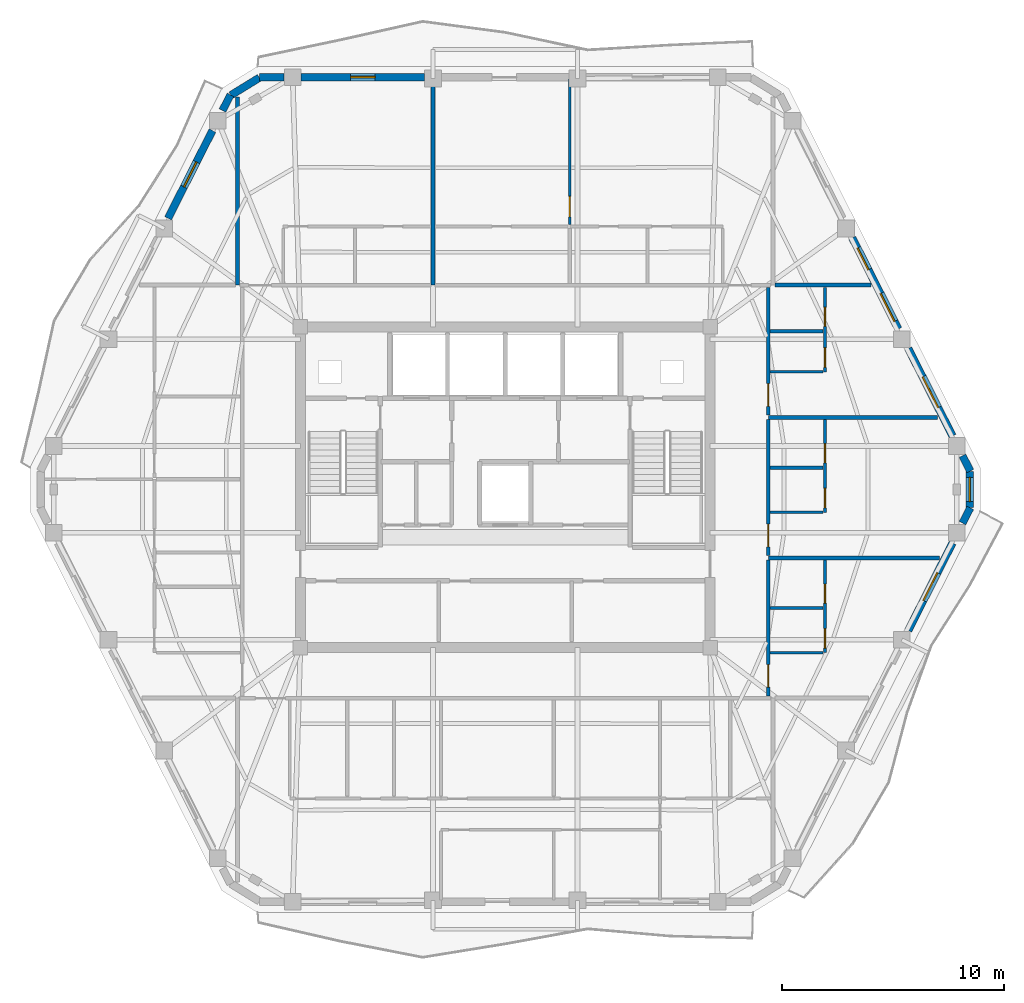
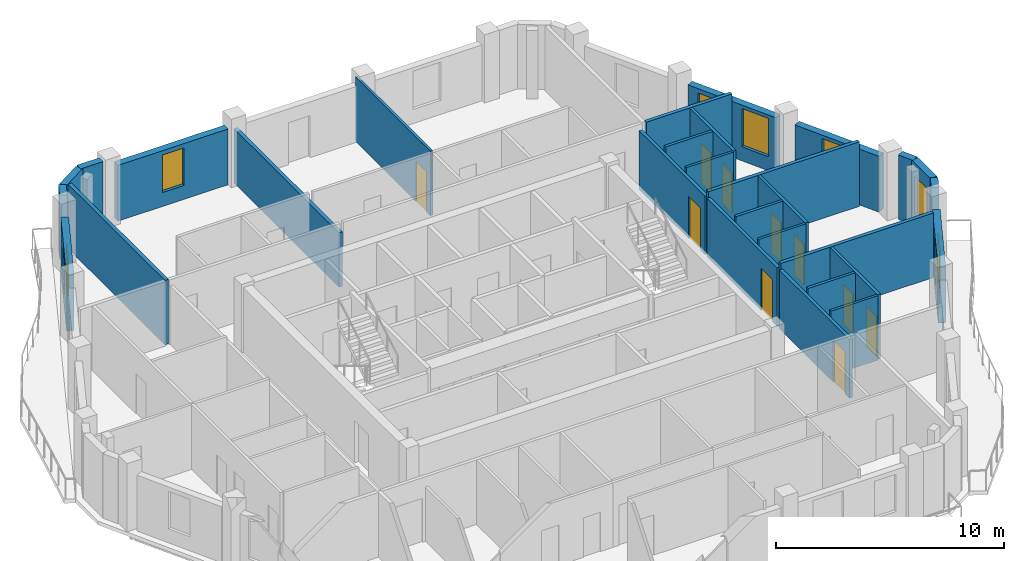
# One storey, part 7 of 11: 29 walls, 10 doors, 7 windows, 17 openings.
"""IFC4 building model written with IfcOpenShell, lengths in metres."""

from ifc_helpers import new_model, si_unit, direction, frame, frame_2d, origin, place, context, subcontext, project, spatial, rectangle, extrude, material, layer, layer_set, type_object, element, fill, save


model = new_model("IFC4")

# Units and contexts
model_context = context("Model", 3, precision=1e-05, world=origin(), true_north=direction((0.0, 1.0)))
body_context = subcontext(model_context, "Body", "Model", "MODEL_VIEW")
ifc_project = project(units=[si_unit("LENGTHUNIT", "METRE"), si_unit("AREAUNIT", "SQUARE_METRE"), si_unit("VOLUMEUNIT", "CUBIC_METRE"), si_unit("PLANEANGLEUNIT", "RADIAN"), si_unit("MASSUNIT", "GRAM", prefix="KILO")], contexts=[model_context])

# Site, building, storey
site_placement = place(None, origin())
site = spatial("IfcSite", under=ifc_project, at=site_placement, CompositionType="ELEMENT")
building_placement = place(site_placement, origin())
building = spatial("IfcBuilding", under=site, at=building_placement, Name="Cinnabar Lancet Tower", CompositionType="ELEMENT")
storey_placement = place(building_placement, frame((0.0, 0.0, 252.550048828125)))
storey = spatial("IfcBuildingStorey", under=building, at=storey_placement, Name="L67", CompositionType="ELEMENT", Elevation=252.550048828125)

# Wall, opening, door
ifc_material_1 = material(Name="Acoustic twin-stud gypsum partition", Category="gypsum")
ifc_layer_1 = layer(ifc_material_1, 0.159912109375)
ifc_layer_set_1 = layer_set([ifc_layer_1], Name="Acoustic twin-stud gypsum partition")
wall_type_1 = type_object("IfcWallType", Name="ARC-WL-CORR-160", PredefinedType="PARTITIONING", material=ifc_layer_set_1)
wall_1_placement = place(storey_placement, frame((44.25, 16.4951171875, 0.0), z_axis=(0.0, 0.0, 1.0), x_axis=(0.0, 1.0, 0.0)))
wall_1 = element("IfcWall", 1, at=wall_1_placement, inside=storey, type_object=wall_type_1, Name="UW-L67-E01-COR", PredefinedType="PARTITIONING", context=body_context, shape_type="SweptSolid", body=[
    extrude(rectangle(XDim=6.1337890625, YDim=0.159912109375, at=frame_2d((3.06689453125, 0.0))), origin(), (0.0, 0.0, 1.0), 3.136962890625),
])
opening_1_placement = place(wall_1_placement, frame((0.39990234375, 0.0, 0.0)))
opening_1 = element("IfcOpeningElement", 2, at=opening_1_placement, cuts=wall_1, Name="Opening UD-01", PredefinedType="OPENING", context=body_context, shape_type="SweptSolid", body=[
    extrude(rectangle(XDim=1.02001953125, YDim=2.25, at=frame_2d((0.510009765625, 1.125))), frame((0.0, 0.08984375, 0.0), z_axis=(0.0, -1.0, 0.0), x_axis=(1.0, 0.0, 0.0)), (0.0, 0.0, 1.0), 0.179931640625),
])
ifc_material_2 = material(Name="Solid timber fire-rated apartment entrance door", Category="wood")
door_type_1 = type_object("IfcDoorType", Name="ARC-DR-UNIT", OperationType="NOTDEFINED", PredefinedType="DOOR", material=ifc_material_2)
door_1_placement = place(opening_1_placement, origin())
door_1 = element("IfcDoor", 3, at=door_1_placement, inside=storey, type_object=door_type_1, Name="DR-L67-E01-ENT", OperationType="SINGLE_SWING_RIGHT", OverallHeight=2.25, OverallWidth=1.02001953125, PredefinedType="DOOR", context=body_context, shape_type="SweptSolid", body=[
    extrude(rectangle(XDim=1.02001953125, YDim=2.25, at=frame_2d((0.510009765625, 1.125))), frame((0.0, 0.02490234375, 0.0), z_axis=(0.0, -1.0, 0.0), x_axis=(1.0, 0.0, 0.0)), (0.0, 0.0, 1.0), 0.050048828125),
])
fill(opening_1, door_1)

wall_2_placement = place(storey_placement, frame((44.25, 22.819091796875, 0.0), z_axis=(0.0, 0.0, 1.0), x_axis=(0.0, 1.0, 0.0)))
wall_2 = element("IfcWall", 4, at=wall_2_placement, inside=storey, type_object=wall_type_1, Name="UW-L67-E02-COR", PredefinedType="PARTITIONING", context=body_context, shape_type="SweptSolid", body=[
    extrude(rectangle(XDim=6.1337890625, YDim=0.159912109375, at=frame_2d((3.06689453125, 0.0))), origin(), (0.0, 0.0, 1.0), 3.136962890625),
])
opening_2_placement = place(wall_2_placement, frame((0.39990234375, 0.0, 0.0)))
opening_2 = element("IfcOpeningElement", 5, at=opening_2_placement, cuts=wall_2, Name="Opening UD-01", PredefinedType="OPENING", context=body_context, shape_type="SweptSolid", body=[
    extrude(rectangle(XDim=1.02001953125, YDim=2.25, at=frame_2d((0.510009765625, 1.125))), frame((0.0, 0.08984375, 0.0), z_axis=(0.0, -1.0, 0.0), x_axis=(1.0, 0.0, 0.0)), (0.0, 0.0, 1.0), 0.179931640625),
])
door_2_placement = place(opening_2_placement, origin())
door_2 = element("IfcDoor", 6, at=door_2_placement, inside=storey, type_object=door_type_1, Name="DR-L67-E02-ENT", OperationType="SINGLE_SWING_LEFT", OverallHeight=2.25, OverallWidth=1.02001953125, PredefinedType="DOOR", context=body_context, shape_type="SweptSolid", body=[
    extrude(rectangle(XDim=1.02001953125, YDim=2.25, at=frame_2d((0.510009765625, 1.125))), frame((0.0, 0.02490234375, 0.0), z_axis=(0.0, -1.0, 0.0), x_axis=(1.0, 0.0, 0.0)), (0.0, 0.0, 1.0), 0.050048828125),
])
fill(opening_2, door_2)

wall_3_placement = place(storey_placement, frame((44.25, 29.14306640625, 0.0), z_axis=(0.0, 0.0, 1.0), x_axis=(0.0, 1.0, 0.0)))
wall_3 = element("IfcWall", 7, at=wall_3_placement, inside=storey, type_object=wall_type_1, Name="UW-L67-E03-COR", PredefinedType="PARTITIONING", context=body_context, shape_type="SweptSolid", body=[
    extrude(rectangle(XDim=5.761962890625, YDim=0.159912109375, at=frame_2d((2.880859375, 0.0))), origin(), (0.0, 0.0, 1.0), 3.136962890625),
])
opening_3_placement = place(wall_3_placement, frame((0.39990234375, 0.0, 0.0)))
opening_3 = element("IfcOpeningElement", 8, at=opening_3_placement, cuts=wall_3, Name="Opening UD-01", PredefinedType="OPENING", context=body_context, shape_type="SweptSolid", body=[
    extrude(rectangle(XDim=1.02001953125, YDim=2.25, at=frame_2d((0.510009765625, 1.125))), frame((0.0, 0.08984375, 0.0), z_axis=(0.0, -1.0, 0.0), x_axis=(1.0, 0.0, 0.0)), (0.0, 0.0, 1.0), 0.179931640625),
])
door_3_placement = place(opening_3_placement, origin())
door_3 = element("IfcDoor", 9, at=door_3_placement, inside=storey, type_object=door_type_1, Name="DR-L67-E03-ENT", OperationType="SINGLE_SWING_RIGHT", OverallHeight=2.25, OverallWidth=1.02001953125, PredefinedType="DOOR", context=body_context, shape_type="SweptSolid", body=[
    extrude(rectangle(XDim=1.02001953125, YDim=2.25, at=frame_2d((0.510009765625, 1.125))), frame((0.0, 0.02490234375, 0.0), z_axis=(0.0, -1.0, 0.0), x_axis=(1.0, 0.0, 0.0)), (0.0, 0.0, 1.0), 0.050048828125),
])
fill(opening_3, door_3)

# Walls
ifc_material_3 = material(Name="Fire-rated twin-frame acoustic drywall", Category="gypsum")
ifc_layer_2 = layer(ifc_material_3, 0.179931640625)
ifc_layer_set_2 = layer_set([ifc_layer_2], Name="Fire-rated twin-frame acoustic drywall")
wall_type_2 = type_object("IfcWallType", Name="ARC-WL-PARTY-180", PredefinedType="PARTITIONING", material=ifc_layer_set_2)
wall_4_placement = place(storey_placement, frame((20.35009765625, 35.0, 0.0), z_axis=(0.0, 0.0, 1.0), x_axis=(0.0, 1.0, 0.0)))
element("IfcWall", 10, at=wall_4_placement, inside=storey, type_object=wall_type_2, Name="PW-L67-NPTY-204", PredefinedType="PARTITIONING", context=body_context, shape_type="SweptSolid", body=[
    extrude(rectangle(XDim=8.48095703125, YDim=0.179931640625, at=frame_2d((4.240478515625, 0.0))), origin(), (0.0, 0.0, 1.0), 3.449951171875),
])
wall_5_placement = place(storey_placement, frame((29.14599609375, 35.0, 0.0), z_axis=(0.0, 0.0, 1.0), x_axis=(0.0, 1.0, 0.0)))
element("IfcWall", 11, at=wall_5_placement, inside=storey, type_object=wall_type_2, Name="PW-L67-NPTY-291", PredefinedType="PARTITIONING", context=body_context, shape_type="SweptSolid", body=[
    extrude(rectangle(XDim=9.195068359375, YDim=0.179931640625, at=frame_2d((4.59765625, 0.0))), origin(), (0.0, 0.0, 1.0), 2.906982421875),
])
wall_6_placement = place(storey_placement, frame((44.544921875, 35.0, 0.0), z_axis=(0.0, 0.0, 1.0), x_axis=(1.0, 0.0, 0.0)))
element("IfcWall", 12, at=wall_6_placement, inside=storey, type_object=wall_type_2, Name="PW-L67-ENB", PredefinedType="PARTITIONING", context=body_context, shape_type="SweptSolid", body=[
    extrude(rectangle(XDim=4.322021484375, YDim=0.179931640625, at=frame_2d((2.1611328125, 0.0))), origin(), (0.0, 0.0, 1.0), 3.449951171875),
])
wall_7_placement = place(storey_placement, frame((44.25, 22.72412109375, 0.0), z_axis=(0.0, 0.0, 1.0), x_axis=(1.0, 0.0, 0.0)))
element("IfcWall", 13, at=wall_7_placement, inside=storey, type_object=wall_type_2, Name="PW-L67-EPTY-1", PredefinedType="PARTITIONING", context=body_context, shape_type="SweptSolid", body=[
    extrude(rectangle(XDim=7.714111328125, YDim=0.179931640625, at=frame_2d((3.85693359375, 0.0))), origin(), (0.0, 0.0, 1.0), 3.449951171875),
])
wall_8_placement = place(storey_placement, frame((44.25, 29.048095703125, 0.0), z_axis=(0.0, 0.0, 1.0), x_axis=(1.0, 0.0, 0.0)))
element("IfcWall", 14, at=wall_8_placement, inside=storey, type_object=wall_type_2, Name="PW-L67-EPTY-2", PredefinedType="PARTITIONING", context=body_context, shape_type="SweptSolid", body=[
    extrude(rectangle(XDim=7.626953125, YDim=0.179931640625, at=frame_2d((3.8134765625, 0.0))), origin(), (0.0, 0.0, 1.0), 3.449951171875),
])

# Wall, opening, door
ifc_material_4 = material(Name="Gypsum plasterboard stud partition", Category="gypsum")
ifc_layer_3 = layer(ifc_material_4, 0.125)
ifc_layer_set_3 = layer_set([ifc_layer_3], Name="Gypsum plasterboard stud partition")
wall_type_3 = type_object("IfcWallType", Name="ARC-WL-UNIT-125", PredefinedType="PARTITIONING", material=ifc_layer_set_3)
wall_9_placement = place(storey_placement, frame((35.30810546875, 37.72509765625, 0.0), z_axis=(0.0, 0.0, 1.0), x_axis=(0.0, 1.0, 0.0)))
wall_9 = element("IfcWall", 15, at=wall_9_placement, inside=storey, type_object=wall_type_3, Name="UW-L67-N02-MBW", PredefinedType="PARTITIONING", context=body_context, shape_type="SweptSolid", body=[
    extrude(rectangle(XDim=6.559814453125, YDim=0.125, at=frame_2d((3.27978515625, 0.0))), origin(), (0.0, 0.0, 1.0), 3.449951171875),
])
opening_4_placement = place(wall_9_placement, frame((0.35009765625, 0.0, 0.0)))
opening_4 = element("IfcOpeningElement", 16, at=opening_4_placement, cuts=wall_9, Name="Opening RD-01", PredefinedType="OPENING", context=body_context, shape_type="SweptSolid", body=[
    extrude(rectangle(XDim=0.919921875, YDim=2.14990234375, at=frame_2d((0.4599609375, 1.074951171875))), frame((0.0, 0.072509765625, 0.0), z_axis=(0.0, -1.0, 0.0), x_axis=(1.0, 0.0, 0.0)), (0.0, 0.0, 1.0), 0.14501953125),
])
ifc_material_5 = material(Name="Engineered timber bedroom door", Category="wood")
door_type_2 = type_object("IfcDoorType", Name="ARC-DR-ROOM", OperationType="NOTDEFINED", PredefinedType="DOOR", material=ifc_material_5)
door_4_placement = place(opening_4_placement, origin())
door_4 = element("IfcDoor", 17, at=door_4_placement, inside=storey, type_object=door_type_2, Name="DR-L67-N02-MBD", OperationType="SINGLE_SWING_RIGHT", OverallHeight=2.14990234375, OverallWidth=0.919921875, PredefinedType="DOOR", context=body_context, shape_type="SweptSolid", body=[
    extrude(rectangle(XDim=0.919921875, YDim=2.14990234375, at=frame_2d((0.4599609375, 1.074951171875))), frame((0.0, 0.02490234375, 0.0), z_axis=(0.0, -1.0, 0.0), x_axis=(1.0, 0.0, 0.0)), (0.0, 0.0, 1.0), 0.050048828125),
])
fill(opening_4, door_4)

# Walls
for number, where, z_axis, x_axis, name in (
    (18, (44.3349609375, 18.449951171875, 0.0), (0.0, 0.0, 1.0), (1.0, 0.0, 0.0), "UW-L67-E01-FOYN"),
    (19, (44.3349609375, 24.77392578125, 0.0), (0.0, 0.0, 1.0), (1.0, 0.0, 0.0), "UW-L67-E02-FOYN"),
    (20, (44.3349609375, 31.097900390625, 0.0), (0.0, 0.0, 1.0), (1.0, 0.0, 0.0), "UW-L67-E03-FOYN"),
):
    element("IfcWall", number, at=place(storey_placement, frame(where, z_axis=z_axis, x_axis=x_axis)), inside=storey, type_object=wall_type_3, Name=name, PredefinedType="PARTITIONING", context=body_context, shape_type="SweptSolid", body=[
        extrude(rectangle(XDim=2.380126953125, YDim=0.125, at=frame_2d((1.18994140625, 0.0))), origin(), (0.0, 0.0, 1.0), 3.449951171875),
    ])

# Wall, openings, doors
ifc_material_6 = material(Name="Moisture-resistant cement-board plumbing wall", Category="masonry")
ifc_layer_4 = layer(ifc_material_6, 0.139892578125)
ifc_layer_set_4 = layer_set([ifc_layer_4], Name="Moisture-resistant cement-board plumbing wall")
wall_type_4 = type_object("IfcWallType", Name="ARC-WL-WET-140", PredefinedType="PLUMBINGWALL", material=ifc_layer_set_4)
wall_10_placement = place(storey_placement, frame((46.800048828125, 18.449951171875, 0.0), z_axis=(0.0, 0.0, 1.0), x_axis=(0.0, 1.0, 0.0)))
wall_10 = element("IfcWall", 21, at=wall_10_placement, inside=storey, type_object=wall_type_4, Name="UW-L67-E01-SPL", PredefinedType="PLUMBINGWALL", context=body_context, shape_type="SweptSolid", body=[
    extrude(rectangle(XDim=4.178955078125, YDim=0.139892578125, at=frame_2d((2.08935546875, 0.0))), origin(), (0.0, 0.0, 1.0), 3.449951171875),
])
opening_5_placement = place(wall_10_placement, frame((2.22607421875, 0.0, 0.0)))
opening_5 = element("IfcOpeningElement", 22, at=opening_5_placement, cuts=wall_10, Name="Opening BD-01", PredefinedType="OPENING", context=body_context, shape_type="SweptSolid", body=[
    extrude(rectangle(XDim=0.860107421875, YDim=2.10009765625, at=frame_2d((0.43017578125, 1.050048828125))), frame((0.0, 0.079833984375, 0.0), z_axis=(0.0, -1.0, 0.0), x_axis=(1.0, 0.0, 0.0)), (0.0, 0.0, 1.0), 0.159912109375),
])
opening_6_placement = place(wall_10_placement, frame((0.199951171875, 0.0, 0.0)))
opening_6 = element("IfcOpeningElement", 23, at=opening_6_placement, cuts=wall_10, Name="Opening RD-02", PredefinedType="OPENING", context=body_context, shape_type="SweptSolid", body=[
    extrude(rectangle(XDim=0.8798828125, YDim=2.14990234375, at=frame_2d((0.43994140625, 1.074951171875))), frame((0.0, 0.079833984375, 0.0), z_axis=(0.0, -1.0, 0.0), x_axis=(1.0, 0.0, 0.0)), (0.0, 0.0, 1.0), 0.159912109375),
])
ifc_material_7 = material(Name="Moisture-resistant timber bathroom door", Category="wood")
door_type_3 = type_object("IfcDoorType", Name="ARC-DR-BATH", OperationType="NOTDEFINED", PredefinedType="DOOR", material=ifc_material_7)
door_5_placement = place(opening_5_placement, origin())
door_5 = element("IfcDoor", 24, at=door_5_placement, inside=storey, type_object=door_type_3, Name="DR-L67-E01-BTH", OperationType="SINGLE_SWING_RIGHT", OverallHeight=2.10009765625, OverallWidth=0.860107421875, PredefinedType="DOOR", context=body_context, shape_type="SweptSolid", body=[
    extrude(rectangle(XDim=0.860107421875, YDim=2.10009765625, at=frame_2d((0.43017578125, 1.050048828125))), frame((0.0, 0.02490234375, 0.0), z_axis=(0.0, -1.0, 0.0), x_axis=(1.0, 0.0, 0.0)), (0.0, 0.0, 1.0), 0.050048828125),
])
fill(opening_5, door_5)
ifc_material_8 = material(Name="Engineered timber study door", Category="wood")
door_type_4 = type_object("IfcDoorType", Name="ARC-DR-STUDY", OperationType="NOTDEFINED", PredefinedType="DOOR", material=ifc_material_8)
door_6_placement = place(opening_6_placement, origin())
door_6 = element("IfcDoor", 25, at=door_6_placement, inside=storey, type_object=door_type_4, Name="DR-L67-E01-KIT", OperationType="SINGLE_SWING_LEFT", OverallHeight=2.14990234375, OverallWidth=0.8798828125, PredefinedType="DOOR", context=body_context, shape_type="SweptSolid", body=[
    extrude(rectangle(XDim=0.8798828125, YDim=2.14990234375, at=frame_2d((0.43994140625, 1.074951171875))), frame((0.0, 0.02490234375, 0.0), z_axis=(0.0, -1.0, 0.0), x_axis=(1.0, 0.0, 0.0)), (0.0, 0.0, 1.0), 0.050048828125),
])
fill(opening_6, door_6)

# Wall
wall_11_placement = place(storey_placement, frame((44.3349609375, 20.4560546875, 0.0), z_axis=(0.0, 0.0, 1.0), x_axis=(1.0, 0.0, 0.0)))
element("IfcWall", 26, at=wall_11_placement, inside=storey, type_object=wall_type_4, Name="UW-L67-E01-KDV", PredefinedType="PLUMBINGWALL", context=body_context, shape_type="SweptSolid", body=[
    extrude(rectangle(XDim=2.380126953125, YDim=0.139892578125, at=frame_2d((1.18994140625, 0.0))), origin(), (0.0, 0.0, 1.0), 3.449951171875),
])

# Wall, openings, doors
wall_12_placement = place(storey_placement, frame((46.800048828125, 24.77392578125, 0.0), z_axis=(0.0, 0.0, 1.0), x_axis=(0.0, 1.0, 0.0)))
wall_12 = element("IfcWall", 27, at=wall_12_placement, inside=storey, type_object=wall_type_4, Name="UW-L67-E02-SPL", PredefinedType="PLUMBINGWALL", context=body_context, shape_type="SweptSolid", body=[
    extrude(rectangle(XDim=4.178955078125, YDim=0.139892578125, at=frame_2d((2.08935546875, 0.0))), origin(), (0.0, 0.0, 1.0), 3.449951171875),
])
opening_7_placement = place(wall_12_placement, frame((2.22607421875, 0.0, 0.0)))
opening_7 = element("IfcOpeningElement", 28, at=opening_7_placement, cuts=wall_12, Name="Opening BD-01", PredefinedType="OPENING", context=body_context, shape_type="SweptSolid", body=[
    extrude(rectangle(XDim=0.860107421875, YDim=2.10009765625, at=frame_2d((0.43017578125, 1.050048828125))), frame((0.0, 0.079833984375, 0.0), z_axis=(0.0, -1.0, 0.0), x_axis=(1.0, 0.0, 0.0)), (0.0, 0.0, 1.0), 0.159912109375),
])
opening_8_placement = place(wall_12_placement, frame((0.199951171875, 0.0, 0.0)))
opening_8 = element("IfcOpeningElement", 29, at=opening_8_placement, cuts=wall_12, Name="Opening RD-02", PredefinedType="OPENING", context=body_context, shape_type="SweptSolid", body=[
    extrude(rectangle(XDim=0.8798828125, YDim=2.14990234375, at=frame_2d((0.43994140625, 1.074951171875))), frame((0.0, 0.079833984375, 0.0), z_axis=(0.0, -1.0, 0.0), x_axis=(1.0, 0.0, 0.0)), (0.0, 0.0, 1.0), 0.159912109375),
])
door_7_placement = place(opening_7_placement, origin())
door_7 = element("IfcDoor", 30, at=door_7_placement, inside=storey, type_object=door_type_3, Name="DR-L67-E02-BTH", OperationType="SINGLE_SWING_LEFT", OverallHeight=2.10009765625, OverallWidth=0.860107421875, PredefinedType="DOOR", context=body_context, shape_type="SweptSolid", body=[
    extrude(rectangle(XDim=0.860107421875, YDim=2.10009765625, at=frame_2d((0.43017578125, 1.050048828125))), frame((0.0, 0.02490234375, 0.0), z_axis=(0.0, -1.0, 0.0), x_axis=(1.0, 0.0, 0.0)), (0.0, 0.0, 1.0), 0.050048828125),
])
fill(opening_7, door_7)
door_8_placement = place(opening_8_placement, origin())
door_8 = element("IfcDoor", 31, at=door_8_placement, inside=storey, type_object=door_type_4, Name="DR-L67-E02-KIT", OperationType="SINGLE_SWING_RIGHT", OverallHeight=2.14990234375, OverallWidth=0.8798828125, PredefinedType="DOOR", context=body_context, shape_type="SweptSolid", body=[
    extrude(rectangle(XDim=0.8798828125, YDim=2.14990234375, at=frame_2d((0.43994140625, 1.074951171875))), frame((0.0, 0.02490234375, 0.0), z_axis=(0.0, -1.0, 0.0), x_axis=(1.0, 0.0, 0.0)), (0.0, 0.0, 1.0), 0.050048828125),
])
fill(opening_8, door_8)

# Wall
wall_13_placement = place(storey_placement, frame((44.3349609375, 26.780029296875, 0.0), z_axis=(0.0, 0.0, 1.0), x_axis=(1.0, 0.0, 0.0)))
element("IfcWall", 32, at=wall_13_placement, inside=storey, type_object=wall_type_4, Name="UW-L67-E02-KDV", PredefinedType="PLUMBINGWALL", context=body_context, shape_type="SweptSolid", body=[
    extrude(rectangle(XDim=2.380126953125, YDim=0.139892578125, at=frame_2d((1.18994140625, 0.0))), origin(), (0.0, 0.0, 1.0), 3.449951171875),
])

# Wall, openings, doors
wall_14_placement = place(storey_placement, frame((46.800048828125, 31.097900390625, 0.0), z_axis=(0.0, 0.0, 1.0), x_axis=(0.0, 1.0, 0.0)))
wall_14 = element("IfcWall", 33, at=wall_14_placement, inside=storey, type_object=wall_type_4, Name="UW-L67-E03-SPL", PredefinedType="PLUMBINGWALL", context=body_context, shape_type="SweptSolid", body=[
    extrude(rectangle(XDim=3.80712890625, YDim=0.139892578125, at=frame_2d((1.903564453125, 0.0))), origin(), (0.0, 0.0, 1.0), 3.449951171875),
])
opening_9_placement = place(wall_14_placement, frame((2.047119140625, 0.0, 0.0)))
opening_9 = element("IfcOpeningElement", 34, at=opening_9_placement, cuts=wall_14, Name="Opening BD-01", PredefinedType="OPENING", context=body_context, shape_type="SweptSolid", body=[
    extrude(rectangle(XDim=0.860107421875, YDim=2.10009765625, at=frame_2d((0.43017578125, 1.050048828125))), frame((0.0, 0.079833984375, 0.0), z_axis=(0.0, -1.0, 0.0), x_axis=(1.0, 0.0, 0.0)), (0.0, 0.0, 1.0), 0.159912109375),
])
opening_10_placement = place(wall_14_placement, frame((0.199951171875, 0.0, 0.0)))
opening_10 = element("IfcOpeningElement", 35, at=opening_10_placement, cuts=wall_14, Name="Opening RD-02", PredefinedType="OPENING", context=body_context, shape_type="SweptSolid", body=[
    extrude(rectangle(XDim=0.8798828125, YDim=2.14990234375, at=frame_2d((0.43994140625, 1.074951171875))), frame((0.0, 0.079833984375, 0.0), z_axis=(0.0, -1.0, 0.0), x_axis=(1.0, 0.0, 0.0)), (0.0, 0.0, 1.0), 0.159912109375),
])
door_9_placement = place(opening_9_placement, origin())
door_9 = element("IfcDoor", 36, at=door_9_placement, inside=storey, type_object=door_type_3, Name="DR-L67-E03-BTH", OperationType="SINGLE_SWING_RIGHT", OverallHeight=2.10009765625, OverallWidth=0.860107421875, PredefinedType="DOOR", context=body_context, shape_type="SweptSolid", body=[
    extrude(rectangle(XDim=0.860107421875, YDim=2.10009765625, at=frame_2d((0.43017578125, 1.050048828125))), frame((0.0, 0.02490234375, 0.0), z_axis=(0.0, -1.0, 0.0), x_axis=(1.0, 0.0, 0.0)), (0.0, 0.0, 1.0), 0.050048828125),
])
fill(opening_9, door_9)
door_10_placement = place(opening_10_placement, origin())
door_10 = element("IfcDoor", 37, at=door_10_placement, inside=storey, type_object=door_type_4, Name="DR-L67-E03-KIT", OperationType="SINGLE_SWING_LEFT", OverallHeight=2.14990234375, OverallWidth=0.8798828125, PredefinedType="DOOR", context=body_context, shape_type="SweptSolid", body=[
    extrude(rectangle(XDim=0.8798828125, YDim=2.14990234375, at=frame_2d((0.43994140625, 1.074951171875))), frame((0.0, 0.02490234375, 0.0), z_axis=(0.0, -1.0, 0.0), x_axis=(1.0, 0.0, 0.0)), (0.0, 0.0, 1.0), 0.050048828125),
])
fill(opening_10, door_10)

# Wall
wall_15_placement = place(storey_placement, frame((44.3349609375, 32.925048828125, 0.0), z_axis=(0.0, 0.0, 1.0), x_axis=(1.0, 0.0, 0.0)))
element("IfcWall", 38, at=wall_15_placement, inside=storey, type_object=wall_type_4, Name="UW-L67-E03-KDV", PredefinedType="PLUMBINGWALL", context=body_context, shape_type="SweptSolid", body=[
    extrude(rectangle(XDim=2.380126953125, YDim=0.139892578125, at=frame_2d((1.18994140625, 0.0))), origin(), (0.0, 0.0, 1.0), 3.449951171875),
])

# Wall, opening, window
ifc_material_9 = material(Name="Cinnabar red clay brick", Category="masonry")
ifc_layer_5 = layer(ifc_material_9, 0.340087890625)
ifc_layer_set_5 = layer_set([ifc_layer_5], Name="Cinnabar red clay brick")
wall_type_5 = type_object("IfcWallType", Name="ENV-WL-BRK-RED-340", PredefinedType="STANDARD", material=ifc_layer_set_5)
wall_16_placement = place(storey_placement, frame((53.322998046875, 24.97998046875, 0.0), z_axis=(0.0, 0.0, 1.0), x_axis=(0.0, 1.0, 0.0)))
wall_16 = element("IfcWall", 39, at=wall_16_placement, inside=storey, type_object=wall_type_5, Name="L67 Chamfered Corner Brick Pier 3.1", PredefinedType="STANDARD", context=body_context, shape_type="SweptSolid", body=[
    extrude(rectangle(XDim=1.64013671875, YDim=0.340087890625, at=frame_2d((0.820068359375, 0.0))), origin(), (0.0, 0.0, 1.0), 3.449951171875),
])
opening_11_placement = place(wall_16_placement, frame((0.27001953125, 0.0, 0.75)))
opening_11 = element("IfcOpeningElement", 40, at=opening_11_placement, cuts=wall_16, Name="Opening WN-04", PredefinedType="OPENING", context=body_context, shape_type="SweptSolid", body=[
    extrude(rectangle(XDim=1.10009765625, YDim=2.0, at=frame_2d((0.550048828125, 1.0))), frame((0.0, 0.179931640625, 0.0), z_axis=(0.0, -1.0, 0.0), x_axis=(1.0, 0.0, 0.0)), (0.0, 0.0, 1.0), 0.360107421875),
])
ifc_material_10 = material(Name="Thermally broken bronze-anodized aluminium tall lancet window", Category="aluminium")
window_type_1 = type_object("IfcWindowType", Name="ENV-WN-LANCET-1100", PartitioningType="SINGLE_PANEL", PredefinedType="WINDOW", material=ifc_material_10)
window_1_placement = place(opening_11_placement, origin())
window_1 = element("IfcWindow", 41, at=window_1_placement, inside=storey, type_object=window_type_1, Name="L67 Dwelling Gothic Lancet Window 336", OverallHeight=2.0, OverallWidth=1.10009765625, PartitioningType="SINGLE_PANEL", PredefinedType="WINDOW", context=body_context, shape_type="SweptSolid", body=[
    extrude(rectangle(XDim=1.10009765625, YDim=2.0, at=frame_2d((0.550048828125, 1.0))), frame((0.0, 0.030029296875, 0.0), z_axis=(0.0, -1.0, 0.0), x_axis=(1.0, 0.0, 0.0)), (0.0, 0.0, 1.0), 0.06005859375),
])
fill(opening_11, window_1)

# Wall
wall_17_placement = place(storey_placement, frame((21.3310546875, 44.344970703125, 0.0), z_axis=(0.0, 0.0, 1.0), x_axis=(-0.851680557619, -0.52406128246, 0.0)))
element("IfcWall", 42, at=wall_17_placement, inside=storey, type_object=wall_type_5, Name="L67 Chamfered Corner Brick Pier 5.1", PredefinedType="STANDARD", context=body_context, shape_type="SweptSolid", body=[
    extrude(rectangle(XDim=1.507568359375, YDim=0.340087890625, at=frame_2d((0.75390625, 0.0))), origin(), (0.0, 0.0, 1.0), 3.449951171875),
])

# Wall, opening, window
wall_18_placement = place(storey_placement, frame((50.553955078125, 19.4560546875, 0.0), z_axis=(0.0, 0.0, 1.0), x_axis=(0.45130817501, 0.892368158984, 0.0)))
wall_18 = element("IfcWall", 43, at=wall_18_placement, inside=storey, type_object=wall_type_5, Name="L67 Face 2 Masonry Bay Wall 4", PredefinedType="STANDARD", context=body_context, shape_type="SweptSolid", body=[
    extrude(rectangle(XDim=4.4072265625, YDim=0.340087890625, at=frame_2d((2.20361328125, 0.0))), origin(), (0.0, 0.0, 1.0), 2.98291015625),
])
opening_12_placement = place(wall_18_placement, frame((1.50390625, 0.0, 0.75)))
opening_12 = element("IfcOpeningElement", 44, at=opening_12_placement, cuts=wall_18, Name="Opening WN-02", PredefinedType="OPENING", context=body_context, shape_type="SweptSolid", body=[
    extrude(rectangle(XDim=1.39990234375, YDim=2.050048828125, at=frame_2d((0.699951171875, 1.02490234375))), frame((0.0, 0.179931640625, 0.0), z_axis=(0.0, -1.0, 0.0), x_axis=(1.0, 0.0, 0.0)), (0.0, 0.0, 1.0), 0.360107421875),
])
ifc_material_11 = material(Name="Thermally broken bronze-anodized aluminium low-E double glazing", Category="aluminium")
window_type_2 = type_object("IfcWindowType", Name="ENV-WN-LANCET-1400", PartitioningType="SINGLE_PANEL", PredefinedType="WINDOW", material=ifc_material_11)
window_2_placement = place(opening_12_placement, origin())
window_2 = element("IfcWindow", 45, at=window_2_placement, inside=storey, type_object=window_type_2, Name="L67 Face 2 Gothic Lancet Window 4", OverallHeight=2.050048828125, OverallWidth=1.39990234375, PartitioningType="SINGLE_PANEL", PredefinedType="WINDOW", context=body_context, shape_type="SweptSolid", body=[
    extrude(rectangle(XDim=1.39990234375, YDim=2.050048828125, at=frame_2d((0.699951171875, 1.02490234375))), frame((0.0, 0.030029296875, 0.0), z_axis=(0.0, -1.0, 0.0), x_axis=(1.0, 0.0, 0.0)), (0.0, 0.0, 1.0), 0.06005859375),
])
fill(opening_12, window_2)

# Walls
for number, where, z_axis, x_axis, name in (
    (46, (52.99609375, 24.283935546875, 0.0), (0.0, 0.0, 1.0), (0.45075284655, 0.892648795063, 0.0), "L67 Face 2 Masonry Bay Wall 5"),
    (47, (53.343994140625, 26.626953125, 0.0), (0.0, 0.0, 1.0), (-0.45075284655, 0.892648795063, 0.0), "L67 Face 3 Masonry Bay Wall 1"),
):
    element("IfcWall", number, at=place(storey_placement, frame(where, z_axis=z_axis, x_axis=x_axis)), inside=storey, type_object=wall_type_5, Name=name, PredefinedType="STANDARD", context=body_context, shape_type="SweptSolid", body=[
        extrude(rectangle(XDim=0.771728515625, YDim=0.340087890625, at=frame_2d((0.3857421875, 0.0))), origin(), (0.0, 0.0, 1.0), 3.449951171875),
    ])

# Wall, opening, window
wall_19_placement = place(storey_placement, frame((52.54296875, 28.2109375, 0.0), z_axis=(0.0, 0.0, 1.0), x_axis=(-0.451285866323, 0.892379441077, 0.0)))
wall_19 = element("IfcWall", 48, at=wall_19_placement, inside=storey, type_object=wall_type_5, Name="L67 Face 3 Masonry Bay Wall 2", PredefinedType="STANDARD", context=body_context, shape_type="SweptSolid", body=[
    extrude(rectangle(XDim=4.407470703125, YDim=0.340087890625, at=frame_2d((2.20361328125, 0.0))), origin(), (0.0, 0.0, 1.0), 2.98291015625),
])
opening_13_placement = place(wall_19_placement, frame((1.428955078125, 0.0, 0.75)))
opening_13 = element("IfcOpeningElement", 49, at=opening_13_placement, cuts=wall_19, Name="Opening WN-01", PredefinedType="OPENING", context=body_context, shape_type="SweptSolid", body=[
    extrude(rectangle(XDim=1.550048828125, YDim=2.050048828125, at=frame_2d((0.77490234375, 1.02490234375))), frame((0.0, 0.179931640625, 0.0), z_axis=(0.0, -1.0, 0.0), x_axis=(1.0, 0.0, 0.0)), (0.0, 0.0, 1.0), 0.360107421875),
])
ifc_material_12 = material(Name="Thermally broken bronze-anodized aluminium low-E double glazing", Category="aluminium")
window_type_3 = type_object("IfcWindowType", Name="ENV-WN-LANCET-1550", PartitioningType="SINGLE_PANEL", PredefinedType="WINDOW", material=ifc_material_12)
window_3_placement = place(opening_13_placement, origin())
window_3 = element("IfcWindow", 50, at=window_3_placement, inside=storey, type_object=window_type_3, Name="L67 Face 3 Gothic Lancet Window 2", OverallHeight=2.050048828125, OverallWidth=1.550048828125, PartitioningType="SINGLE_PANEL", PredefinedType="WINDOW", context=body_context, shape_type="SweptSolid", body=[
    extrude(rectangle(XDim=1.550048828125, YDim=2.050048828125, at=frame_2d((0.77490234375, 1.02490234375))), frame((0.0, 0.030029296875, 0.0), z_axis=(0.0, -1.0, 0.0), x_axis=(1.0, 0.0, 0.0)), (0.0, 0.0, 1.0), 0.06005859375),
])
fill(opening_13, window_3)

# Wall, openings, windows
wall_20_placement = place(storey_placement, frame((50.10888671875, 33.02294921875, 0.0), z_axis=(0.0, 0.0, 1.0), x_axis=(-0.451539564999, 0.892251097641, 0.0)))
wall_20 = element("IfcWall", 51, at=wall_20_placement, inside=storey, type_object=wall_type_5, Name="L67 Face 3 Masonry Bay Wall 3", PredefinedType="STANDARD", context=body_context, shape_type="SweptSolid", body=[
    extrude(rectangle(XDim=4.599609375, YDim=0.340087890625, at=frame_2d((2.2998046875, 0.0))), origin(), (0.0, 0.0, 1.0), 2.98291015625),
])
opening_14_placement = place(wall_20_placement, frame((0.386962890625, 0.0, 0.75)))
opening_14 = element("IfcOpeningElement", 52, at=opening_14_placement, cuts=wall_20, Name="Opening WN-02", PredefinedType="OPENING", context=body_context, shape_type="SweptSolid", body=[
    extrude(rectangle(XDim=1.39990234375, YDim=2.050048828125, at=frame_2d((0.699951171875, 1.02490234375))), frame((0.0, 0.179931640625, 0.0), z_axis=(0.0, -1.0, 0.0), x_axis=(1.0, 0.0, 0.0)), (0.0, 0.0, 1.0), 0.360107421875),
])
opening_15_placement = place(wall_20_placement, frame((2.988037109375, 0.0, 0.75)))
opening_15 = element("IfcOpeningElement", 53, at=opening_15_placement, cuts=wall_20, Name="Opening WN-04", PredefinedType="OPENING", context=body_context, shape_type="SweptSolid", body=[
    extrude(rectangle(XDim=1.10009765625, YDim=2.0, at=frame_2d((0.550048828125, 1.0))), frame((0.0, 0.179931640625, 0.0), z_axis=(0.0, -1.0, 0.0), x_axis=(1.0, 0.0, 0.0)), (0.0, 0.0, 1.0), 0.360107421875),
])
window_4_placement = place(opening_15_placement, origin())
window_4 = element("IfcWindow", 54, at=window_4_placement, inside=storey, type_object=window_type_1, Name="L67 Split-Bay Gothic Lancet Window 240", OverallHeight=2.0, OverallWidth=1.10009765625, PartitioningType="SINGLE_PANEL", PredefinedType="WINDOW", context=body_context, shape_type="SweptSolid", body=[
    extrude(rectangle(XDim=1.10009765625, YDim=2.0, at=frame_2d((0.550048828125, 1.0))), frame((0.0, 0.030029296875, 0.0), z_axis=(0.0, -1.0, 0.0), x_axis=(1.0, 0.0, 0.0)), (0.0, 0.0, 1.0), 0.06005859375),
])
fill(opening_15, window_4)
window_5_placement = place(opening_14_placement, origin())
window_5 = element("IfcWindow", 55, at=window_5_placement, inside=storey, type_object=window_type_2, Name="L67 Face 3 Gothic Lancet Window 3", OverallHeight=2.050048828125, OverallWidth=1.39990234375, PartitioningType="SINGLE_PANEL", PredefinedType="WINDOW", context=body_context, shape_type="SweptSolid", body=[
    extrude(rectangle(XDim=1.39990234375, YDim=2.050048828125, at=frame_2d((0.699951171875, 1.02490234375))), frame((0.0, 0.030029296875, 0.0), z_axis=(0.0, -1.0, 0.0), x_axis=(1.0, 0.0, 0.0)), (0.0, 0.0, 1.0), 0.06005859375),
])
fill(opening_14, window_5)

# Wall, opening, window
wall_21_placement = place(storey_placement, frame((28.76708984375, 44.3701171875, 0.0), z_axis=(0.0, 0.0, 1.0), x_axis=(-1.0, 0.0, 0.0)))
wall_21 = element("IfcWall", 56, at=wall_21_placement, inside=storey, type_object=wall_type_5, Name="L67 Face 4 Masonry Bay Wall 4", PredefinedType="STANDARD", context=body_context, shape_type="SweptSolid", body=[
    extrude(rectangle(XDim=5.56005859375, YDim=0.340087890625, at=frame_2d((2.780029296875, 0.0))), origin(), (0.0, 0.0, 1.0), 2.98291015625),
])
opening_16_placement = place(wall_21_placement, frame((2.22998046875, 0.0, 0.75)))
opening_16 = element("IfcOpeningElement", 57, at=opening_16_placement, cuts=wall_21, Name="Opening WN-04", PredefinedType="OPENING", context=body_context, shape_type="SweptSolid", body=[
    extrude(rectangle(XDim=1.10009765625, YDim=2.0, at=frame_2d((0.550048828125, 1.0))), frame((0.0, 0.179931640625, 0.0), z_axis=(0.0, -1.0, 0.0), x_axis=(1.0, 0.0, 0.0)), (0.0, 0.0, 1.0), 0.360107421875),
])
window_6_placement = place(opening_16_placement, origin())
window_6 = element("IfcWindow", 58, at=window_6_placement, inside=storey, type_object=window_type_1, Name="L67 Face 4 Gothic Lancet Window 4", OverallHeight=2.0, OverallWidth=1.10009765625, PartitioningType="SINGLE_PANEL", PredefinedType="WINDOW", context=body_context, shape_type="SweptSolid", body=[
    extrude(rectangle(XDim=1.10009765625, YDim=2.0, at=frame_2d((0.550048828125, 1.0))), frame((0.0, 0.030029296875, 0.0), z_axis=(0.0, -1.0, 0.0), x_axis=(1.0, 0.0, 0.0)), (0.0, 0.0, 1.0), 0.06005859375),
])
fill(opening_16, window_6)

# Walls
wall_22_placement = place(storey_placement, frame((22.448974609375, 44.3701171875, 0.0), z_axis=(0.0, 0.0, 1.0), x_axis=(-1.0, 0.0, 0.0)))
element("IfcWall", 59, at=wall_22_placement, inside=storey, type_object=wall_type_5, Name="L67 Face 4 Masonry Bay Wall 5", PredefinedType="STANDARD", context=body_context, shape_type="SweptSolid", body=[
    extrude(rectangle(XDim=1.123046875, YDim=0.340087890625, at=frame_2d((0.5615234375, 0.0))), origin(), (0.0, 0.0, 1.0), 3.449951171875),
])
wall_23_placement = place(storey_placement, frame((20.027099609375, 43.571044921875, 0.0), z_axis=(0.0, 0.0, 1.0), x_axis=(-0.451404919072, -0.89231922485, 0.0)))
element("IfcWall", 60, at=wall_23_placement, inside=storey, type_object=wall_type_5, Name="L67 Face 5 Masonry Bay Wall 1", PredefinedType="STANDARD", context=body_context, shape_type="SweptSolid", body=[
    extrude(rectangle(XDim=0.791259765625, YDim=0.340087890625, at=frame_2d((0.3955078125, 0.0))), origin(), (0.0, 0.0, 1.0), 3.449951171875),
])

# Wall, opening, window
wall_24_placement = place(storey_placement, frame((19.214111328125, 41.962890625, 0.0), z_axis=(0.0, 0.0, 1.0), x_axis=(-0.451463046281, -0.89228981718, 0.0)))
wall_24 = element("IfcWall", 61, at=wall_24_placement, inside=storey, type_object=wall_type_5, Name="L67 Face 5 Masonry Bay Wall 2", PredefinedType="STANDARD", context=body_context, shape_type="SweptSolid", body=[
    extrude(rectangle(XDim=4.429931640625, YDim=0.340087890625, at=frame_2d((2.21484375, 0.0))), origin(), (0.0, 0.0, 1.0), 2.98291015625),
])
opening_17_placement = place(wall_24_placement, frame((1.590087890625, 0.0, 0.75)))
opening_17 = element("IfcOpeningElement", 62, at=opening_17_placement, cuts=wall_24, Name="Opening WN-03", PredefinedType="OPENING", context=body_context, shape_type="SweptSolid", body=[
    extrude(rectangle(XDim=1.25, YDim=1.949951171875, at=frame_2d((0.625, 0.97509765625))), frame((0.0, 0.179931640625, 0.0), z_axis=(0.0, -1.0, 0.0), x_axis=(1.0, 0.0, 0.0)), (0.0, 0.0, 1.0), 0.360107421875),
])
ifc_material_13 = material(Name="Thermally broken bronze-anodized aluminium low-E double glazing", Category="aluminium")
window_type_4 = type_object("IfcWindowType", Name="ENV-WN-LANCET-1250", PartitioningType="SINGLE_PANEL", PredefinedType="WINDOW", material=ifc_material_13)
window_7_placement = place(opening_17_placement, origin())
window_7 = element("IfcWindow", 63, at=window_7_placement, inside=storey, type_object=window_type_4, Name="L67 Face 5 Gothic Lancet Window 2", OverallHeight=1.949951171875, OverallWidth=1.25, PartitioningType="SINGLE_PANEL", PredefinedType="WINDOW", context=body_context, shape_type="SweptSolid", body=[
    extrude(rectangle(XDim=1.25, YDim=1.949951171875, at=frame_2d((0.625, 0.97509765625))), frame((0.0, 0.030029296875, 0.0), z_axis=(0.0, -1.0, 0.0), x_axis=(1.0, 0.0, 0.0)), (0.0, 0.0, 1.0), 0.06005859375),
])
fill(opening_17, window_7)

save(model, "model.ifc")
